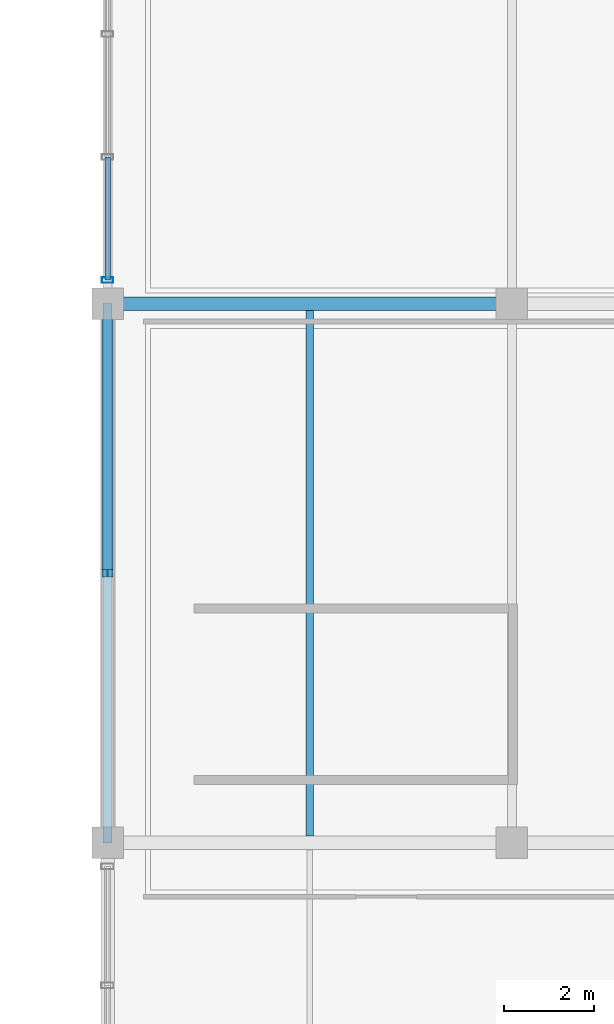
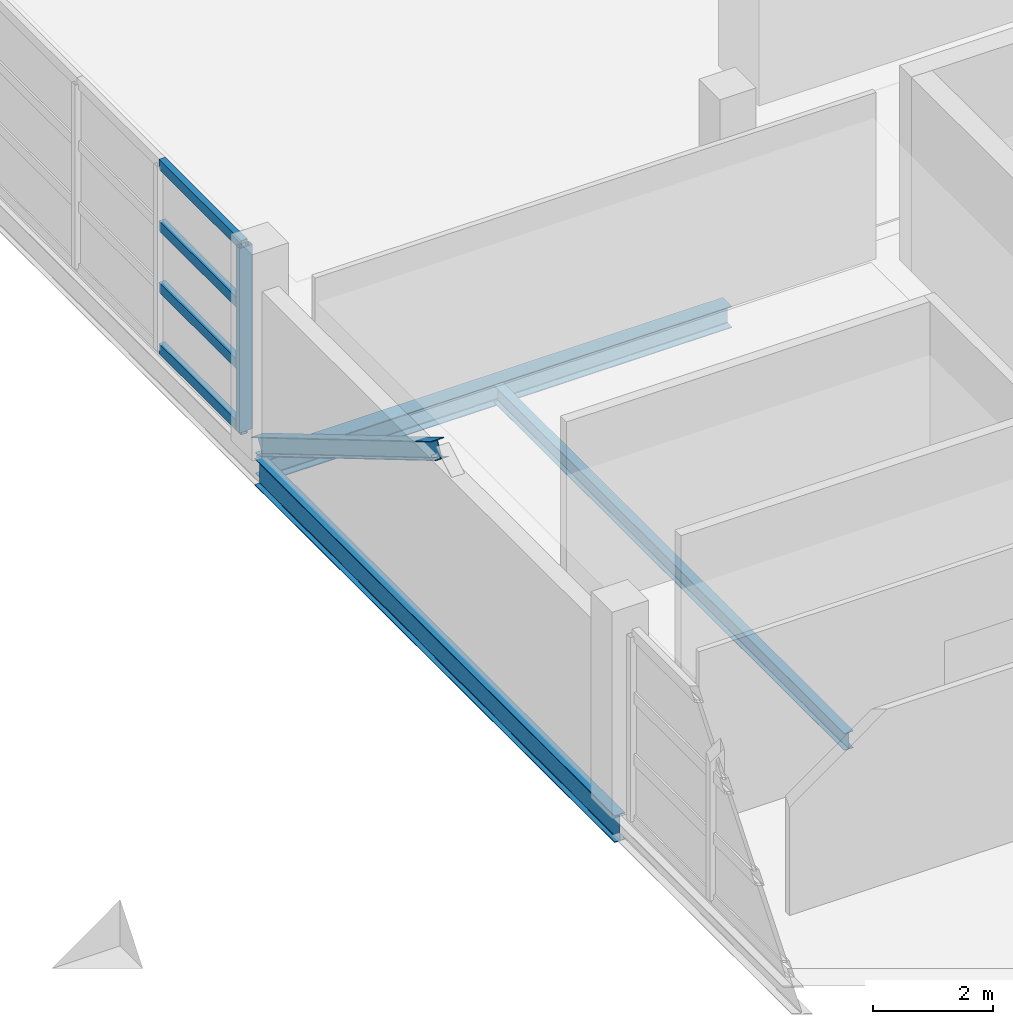
# One storey, part 60 of 136: 6 members, 3 beams, 1 element without a shape of its own.
"""IFC4 building model written with IfcOpenShell, lengths in metres."""

from ifc_helpers import new_model, si_unit, direction, frame, origin, origin_2d, place, context, subcontext, project, spatial, hollow_rectangle, i_section, extrude, material, material_profile, profile_set, type_object, element, aggregate, save


model = new_model("IFC4")

# Units and contexts
model_context = context("Model", 3, precision=1e-05, world=origin(), true_north=direction((0.0, 1.0)))
body_context = subcontext(model_context, "Body", "Model", "MODEL_VIEW")
ifc_project = project(units=[si_unit("LENGTHUNIT", "METRE"), si_unit("AREAUNIT", "SQUARE_METRE"), si_unit("VOLUMEUNIT", "CUBIC_METRE"), si_unit("PLANEANGLEUNIT", "RADIAN"), si_unit("MASSUNIT", "GRAM", prefix="KILO")], contexts=[model_context])

# Site, building, storey
site_placement = place(None, origin())
site = spatial("IfcSite", under=ifc_project, at=site_placement, CompositionType="ELEMENT")
building_placement = place(site_placement, origin())
building = spatial("IfcBuilding", under=site, at=building_placement, Name="Chuanluo Vaults Station", CompositionType="ELEMENT")
storey_placement = place(building_placement, frame((0.0, 0.0, 6.60009765625)))
storey = spatial("IfcBuildingStorey", under=building, at=storey_placement, Name="L01", CompositionType="ELEMENT", Elevation=6.60009765625)

# Beams
ifc_material_1 = material(Name="Steel Q355C", Category="steel")
ifc_material_profile_1 = material_profile(ifc_material_1, i_section(OverallWidth=0.300048828125, OverallDepth=0.43994140625, WebThickness=0.010986328125, FlangeThickness=0.01806640625, FilletRadius=0.02001953125, at=origin_2d()))
ifc_profile_set_1 = profile_set([ifc_material_profile_1], Name="Steel Q355C")
beam_type_1 = type_object("IfcBeamType", Name="BM-GRD-450", PredefinedType="USERDEFINED", material=ifc_profile_set_1)
beam_1_placement = place(storey_placement, frame((136.0, 30.0, -0.460205078125), z_axis=(1.0, 0.0, 0.0), x_axis=(0.0, 1.0, 0.0)))
element("IfcBeam", 1, at=beam_1_placement, inside=storey, type_object=beam_type_1, Name="Floor girder BM:GX:L01:0304", ObjectType="GIRDER", PredefinedType="USERDEFINED", context=body_context, shape_type="SweptSolid", body=[
    extrude(i_section(OverallWidth=0.300048828125, OverallDepth=0.43994140625, WebThickness=0.010986328125, FlangeThickness=0.01806640625, FilletRadius=0.02001953125, at=origin_2d()), origin(), (0.0, 0.0, 1.0), 9.0),
])
ifc_material_2 = material(Name="Steel Q355C", Category="steel")
ifc_material_profile_2 = material_profile(ifc_material_2, i_section(OverallWidth=0.199951171875, OverallDepth=0.550048828125, WebThickness=0.010009765625, FlangeThickness=0.01611328125, FilletRadius=0.01806640625, at=origin_2d()))
ifc_profile_set_2 = profile_set([ifc_material_profile_2], Name="Steel Q355C")
beam_type_2 = type_object("IfcBeamType", Name="BM-GRD-550", PredefinedType="USERDEFINED", material=ifc_profile_set_2)
beam_2_placement = place(storey_placement, frame((136.0, 18.0, -0.51513671875), z_axis=(0.0, 1.0, 0.0), x_axis=(-1.0, 0.0, 0.0)))
element("IfcBeam", 2, at=beam_2_placement, inside=storey, type_object=beam_type_2, Name="Floor girder BM:GY:L01:0456", ObjectType="GIRDER", PredefinedType="USERDEFINED", context=body_context, shape_type="SweptSolid", body=[
    extrude(i_section(OverallWidth=0.199951171875, OverallDepth=0.550048828125, WebThickness=0.010009765625, FlangeThickness=0.01611328125, FilletRadius=0.01806640625, at=origin_2d()), origin(), (0.0, 0.0, 1.0), 12.0),
])
ifc_material_3 = material(Name="Steel Q355C", Category="steel")
ifc_material_profile_3 = material_profile(ifc_material_3, i_section(OverallWidth=0.175048828125, OverallDepth=0.35009765625, WebThickness=0.007080078125, FlangeThickness=0.010986328125, FilletRadius=0.013916015625, at=origin_2d()))
ifc_profile_set_3 = profile_set([ifc_material_profile_3], Name="Steel Q355C")
beam_type_3 = type_object("IfcBeamType", Name="BM-SEC-350", PredefinedType="JOIST", material=ifc_profile_set_3)
beam_3_placement = place(storey_placement, frame((140.5, 18.155029296875, -0.4150390625), z_axis=(0.0, 1.0, 0.0), x_axis=(-1.0, 0.0, 0.0)))
element("IfcBeam", 3, at=beam_3_placement, inside=storey, type_object=beam_type_3, Name="Composite secondary joist 0149", PredefinedType="JOIST", context=body_context, shape_type="SweptSolid", body=[
    extrude(i_section(OverallWidth=0.175048828125, OverallDepth=0.35009765625, WebThickness=0.007080078125, FlangeThickness=0.010986328125, FilletRadius=0.013916015625, at=origin_2d()), origin(), (0.0, 0.0, 1.0), 11.68994140625),
])

# Curtain wall, members
ifc_material_4 = material(Name="Anodised aluminium 6063-T6", Category="aluminium")
curtain_wall_type = type_object("IfcCurtainWallType", Name="CW-SYS-07", PredefinedType="NOTDEFINED", material=ifc_material_4)
curtain_wall_placement = place(storey_placement, origin())
curtain_wall = element("IfcCurtainWall", 4, at=curtain_wall_placement, inside=storey, type_object=curtain_wall_type, Name="Retail pavilion L01 facade CW", PredefinedType="NOTDEFINED")
ifc_material_5 = material(Name="Anodised aluminium 6063-T6", Category="aluminium")
ifc_material_profile_4 = material_profile(ifc_material_5, hollow_rectangle(XDim=0.1201171875, YDim=0.25, WallThickness=0.006103515625, at=origin_2d()))
ifc_profile_set_4 = profile_set([ifc_material_profile_4], Name="Anodised aluminium 6063-T6")
member_type_1 = type_object("IfcMemberType", Name="CWM-160", PredefinedType="MULLION", material=ifc_profile_set_4)
member_1_placement = place(storey_placement, frame((136.0, 30.52490234375, 0.0), z_axis=(0.0, 0.0, 1.0), x_axis=(0.0, 1.0, 0.0)))
member_1 = element("IfcMember", 5, at=member_1_placement, type_object=member_type_1, Name="Retail pavilion L01 facade CW mullion 1", PredefinedType="MULLION", context=body_context, shape_type="SweptSolid", body=[
    extrude(hollow_rectangle(XDim=0.1201171875, YDim=0.25, WallThickness=0.006103515625, at=origin_2d()), origin(), (0.0, 0.0, 1.0), 3.75),
])
ifc_material_6 = material(Name="Anodised aluminium 6063-T6", Category="aluminium")
ifc_material_profile_5 = material_profile(ifc_material_6, hollow_rectangle(XDim=0.1201171875, YDim=0.205078125, WallThickness=0.006103515625, at=origin_2d()))
ifc_profile_set_5 = profile_set([ifc_material_profile_5], Name="Anodised aluminium 6063-T6")
member_type_2 = type_object("IfcMemberType", Name="CWT-130", PredefinedType="USERDEFINED", material=ifc_profile_set_5)
member_2_placement = place(storey_placement, frame((136.0, 30.52490234375, 0.0), z_axis=(0.0, 1.0, 0.0), x_axis=(-1.0, 0.0, 0.0)))
member_2 = element("IfcMember", 6, at=member_2_placement, type_object=member_type_2, Name="Retail pavilion L01 facade CW transom 1.1", ObjectType="TRANSOM", PredefinedType="USERDEFINED", context=body_context, shape_type="SweptSolid", body=[
    extrude(hollow_rectangle(XDim=0.1201171875, YDim=0.205078125, WallThickness=0.006103515625, at=origin_2d()), origin(), (0.0, 0.0, 1.0), 2.737548828125),
])
member_3_placement = place(storey_placement, frame((136.0, 30.52490234375, 1.25), z_axis=(0.0, 1.0, 0.0), x_axis=(-1.0, 0.0, 0.0)))
member_3 = element("IfcMember", 7, at=member_3_placement, type_object=member_type_2, Name="Retail pavilion L01 facade CW transom 1.2", ObjectType="TRANSOM", PredefinedType="USERDEFINED", context=body_context, shape_type="SweptSolid", body=[
    extrude(hollow_rectangle(XDim=0.1201171875, YDim=0.205078125, WallThickness=0.006103515625, at=origin_2d()), origin(), (0.0, 0.0, 1.0), 2.737548828125),
])
member_4_placement = place(storey_placement, frame((136.0, 30.52490234375, 2.5), z_axis=(0.0, 1.0, 0.0), x_axis=(-1.0, 0.0, 0.0)))
member_4 = element("IfcMember", 8, at=member_4_placement, type_object=member_type_2, Name="Retail pavilion L01 facade CW transom 1.3", ObjectType="TRANSOM", PredefinedType="USERDEFINED", context=body_context, shape_type="SweptSolid", body=[
    extrude(hollow_rectangle(XDim=0.1201171875, YDim=0.205078125, WallThickness=0.006103515625, at=origin_2d()), origin(), (0.0, 0.0, 1.0), 2.737548828125),
])
member_5_placement = place(storey_placement, frame((136.0, 30.52490234375, 3.75), z_axis=(0.0, 1.0, 0.0), x_axis=(-1.0, 0.0, 0.0)))
member_5 = element("IfcMember", 9, at=member_5_placement, type_object=member_type_2, Name="Retail pavilion L01 facade CW transom 1.4", ObjectType="TRANSOM", PredefinedType="USERDEFINED", context=body_context, shape_type="SweptSolid", body=[
    extrude(hollow_rectangle(XDim=0.1201171875, YDim=0.205078125, WallThickness=0.006103515625, at=origin_2d()), origin(), (0.0, 0.0, 1.0), 2.737548828125),
])
aggregate(curtain_wall, [member_1, member_2, member_3, member_4, member_5])

# Member
ifc_material_7 = material(Name="Steel Q355C", Category="steel")
ifc_material_profile_6 = material_profile(ifc_material_7, i_section(OverallWidth=0.25, OverallDepth=0.340087890625, WebThickness=0.009033203125, FlangeThickness=0.013916015625, FilletRadius=0.01611328125, at=origin_2d()))
ifc_profile_set_6 = profile_set([ifc_material_profile_6], Name="Steel Q355C")
member_type_3 = type_object("IfcMemberType", Name="MEM-CBR-340", PredefinedType="BRACE", material=ifc_profile_set_6)
member_6_placement = place(storey_placement, frame((136.0, 30.0, 0.0), z_axis=(0.0, -0.860653108043, 0.50919173954), x_axis=(1.0, 0.0, 0.0)))
element("IfcMember", 10, at=member_6_placement, inside=storey, type_object=member_type_3, Name="Lateral chevron brace 04", PredefinedType="BRACE", context=body_context, shape_type="SweptSolid", body=[
    extrude(i_section(OverallWidth=0.25, OverallDepth=0.340087890625, WebThickness=0.009033203125, FlangeThickness=0.013916015625, FilletRadius=0.01611328125, at=origin_2d()), origin(), (0.0, 0.0, 1.0), 6.971435546875),
])

save(model, "model.ifc")
